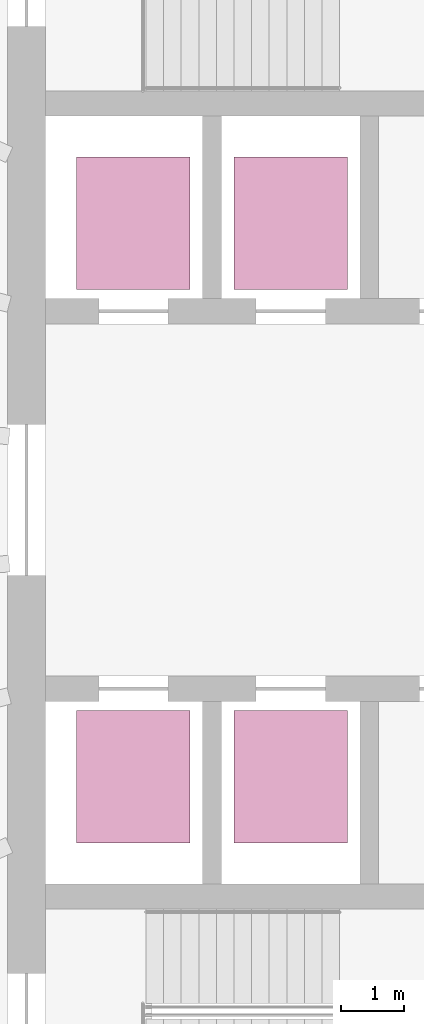
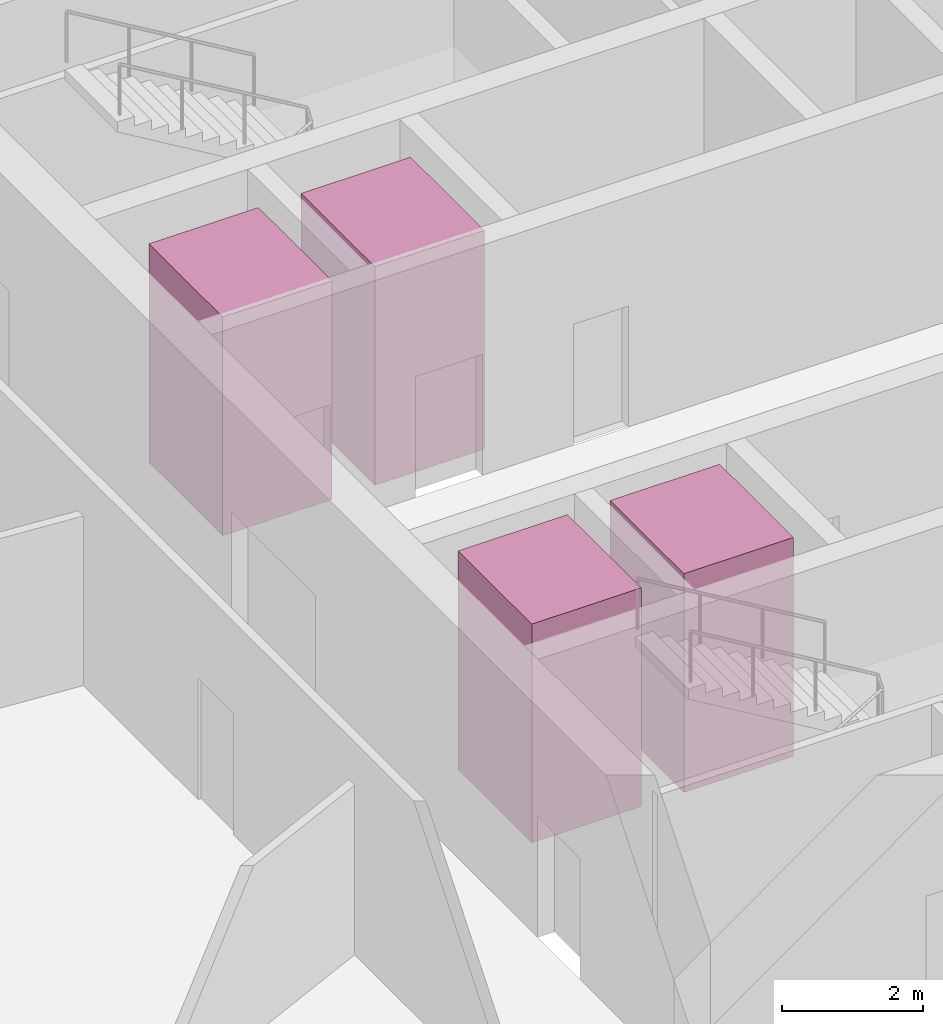
# One storey, part 10 of 10: 4 transport elements.
"""IFC4 building model written with IfcOpenShell, lengths in metres."""

from ifc_helpers import new_model, si_unit, direction, frame, origin, origin_2d, place, context, subcontext, project, spatial, rectangle, extrude, material, type_object, element, save


model = new_model("IFC4")

# Units and contexts
model_context = context("Model", 3, precision=1e-05, world=origin(), true_north=direction((0.0, 1.0)))
body_context = subcontext(model_context, "Body", "Model", "MODEL_VIEW")
ifc_project = project(units=[si_unit("LENGTHUNIT", "METRE"), si_unit("AREAUNIT", "SQUARE_METRE"), si_unit("VOLUMEUNIT", "CUBIC_METRE"), si_unit("PLANEANGLEUNIT", "RADIAN"), si_unit("MASSUNIT", "GRAM", prefix="KILO")], contexts=[model_context])

# Site, building, storey
site_placement = place(None, origin())
site = spatial("IfcSite", under=ifc_project, at=site_placement, CompositionType="ELEMENT")
building_placement = place(site_placement, origin())
building = spatial("IfcBuilding", under=site, at=building_placement, Name="Halqa Exchange Tower", CompositionType="ELEMENT")
storey_placement = place(building_placement, frame((0.0, 0.0, 284.300048828125)))
storey = spatial("IfcBuildingStorey", under=building, at=storey_placement, Name="L66", CompositionType="ELEMENT", Elevation=284.300048828125)

# Transport elements
ifc_material = material(Name="Stainless steel", Category="steel")
transport_element_type = type_object("IfcTransportElementType", Name="High-rise passenger lift 1800 x 2100", PredefinedType="ELEVATOR", material=ifc_material)
for number, where, z_axis, x_axis, name in (
    (1, (-10.0, 4.39990234375, 0.0), (0.0, 0.0, 1.0), (1.0, 0.0, 0.0), "High-rise passenger lift HR1"),
    (2, (-7.5, 4.39990234375, 0.0), (0.0, 0.0, 1.0), (1.0, 0.0, 0.0), "High-rise passenger lift HR2"),
    (3, (-10.0, -4.39990234375, 0.0), (0.0, 0.0, 1.0), (1.0, 0.0, 0.0), "High-rise passenger lift HR3"),
    (4, (-7.5, -4.39990234375, 0.0), (0.0, 0.0, 1.0), (1.0, 0.0, 0.0), "High-rise passenger lift HR4"),
):
    element("IfcTransportElement", number, at=place(storey_placement, frame(where, z_axis=z_axis, x_axis=x_axis)), inside=storey, type_object=transport_element_type, Name=name, PredefinedType="ELEVATOR", context=body_context, shape_type="SweptSolid", body=[
        extrude(rectangle(XDim=1.800048828125, YDim=2.10009765625, at=origin_2d()), origin(), (0.0, 0.0, 1.0), 3.800048828125),
    ])

save(model, "model.ifc")
